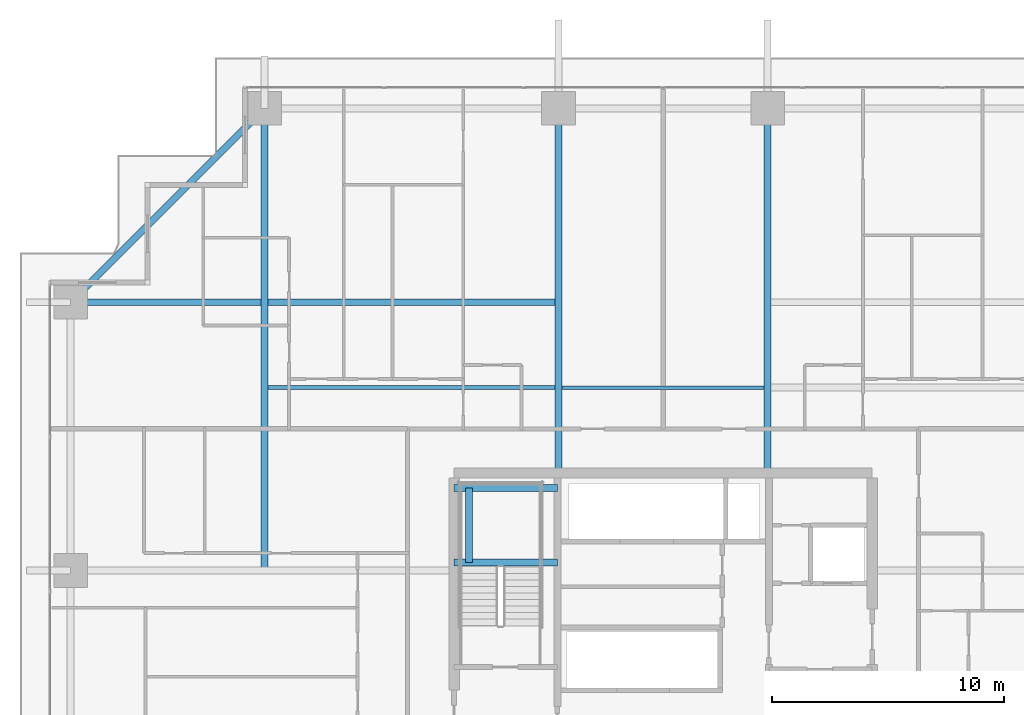
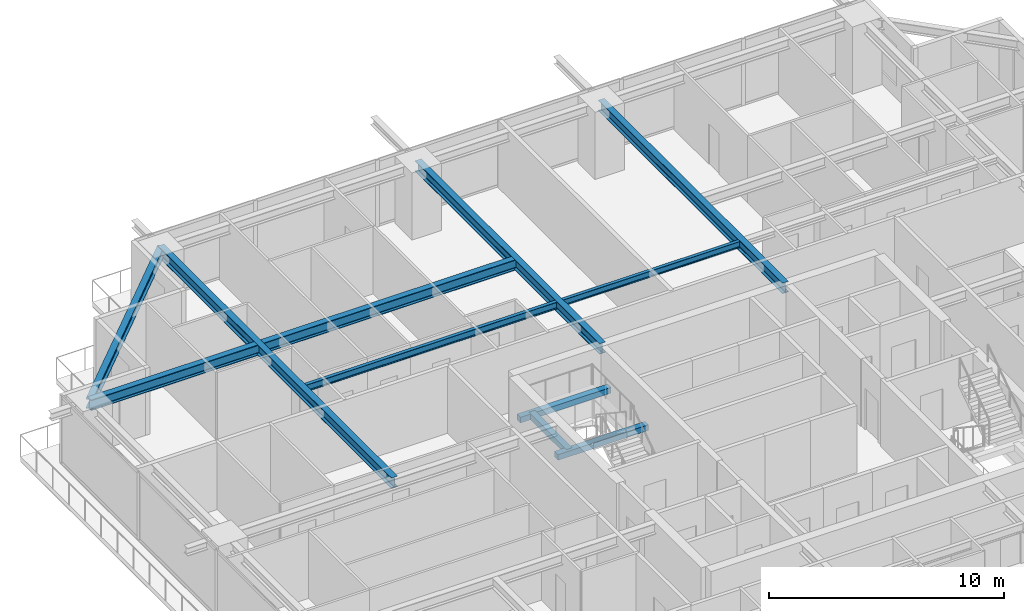
# One storey, part 19 of 39: 10 beams.
"""IFC4 building model written with IfcOpenShell, lengths in metres."""

from ifc_helpers import new_model, si_unit, direction, frame, origin, origin_2d, place, context, subcontext, project, spatial, rectangle, i_section, extrude, source, transform, mapped, material, material_profile, profile_set, type_object, element, save


model = new_model("IFC4")

# Units and contexts
model_context = context("Model", 3, precision=1e-05, world=origin(), true_north=direction((0.0, 1.0)))
body_context = subcontext(model_context, "Body", "Model", "MODEL_VIEW")
ifc_project = project(units=[si_unit("LENGTHUNIT", "METRE"), si_unit("AREAUNIT", "SQUARE_METRE"), si_unit("VOLUMEUNIT", "CUBIC_METRE"), si_unit("PLANEANGLEUNIT", "RADIAN"), si_unit("MASSUNIT", "GRAM", prefix="KILO")], contexts=[model_context])

# Site, building, storey
site_placement = place(None, origin())
site = spatial("IfcSite", under=ifc_project, at=site_placement, CompositionType="ELEMENT")
building_placement = place(site_placement, origin())
building = spatial("IfcBuilding", under=site, at=building_placement, Name="Serunith Strait Residences", CompositionType="ELEMENT")
storey_placement = place(building_placement, frame((0.0, 0.0, 94.199951171875)))
storey = spatial("IfcBuildingStorey", under=building, at=storey_placement, Name="L23", CompositionType="ELEMENT", Elevation=94.199951171875)

# Beams
ifc_material_1 = material(Name="Steel S355J2", Category="steel")
ifc_material_profile_1 = material_profile(ifc_material_1, i_section(OverallWidth=0.300048828125, OverallDepth=0.550048828125, WebThickness=0.014892578125, FlangeThickness=0.029052734375, FilletRadius=0.027099609375, at=origin_2d()), Name="HEB 550")
ifc_profile_set_1 = profile_set([ifc_material_profile_1], Name="Steel S355J2")
beam_type_1 = type_object("IfcBeamType", Name="BM-HEB550", PredefinedType="BEAM", material=ifc_profile_set_1)
shared_shape_1 = source(origin(), body_context, "Body", "SweptSolid", [
    extrude(i_section(OverallWidth=0.300048828125, OverallDepth=0.550048828125, WebThickness=0.014892578125, FlangeThickness=0.029052734375, FilletRadius=0.027099609375, at=origin_2d()), origin(), (0.0, 0.0, 1.0), 15.699951171875),
])
for number, where, z_axis, x_axis, name in (
    (1, (27.89990234375, 33.60009765625, 3.212158203125), (0.0, 1.0, 0.0), (-1.0, 0.0, 0.0), "L23 Primary Floor Girder TC-N2"),
    (2, (36.89990234375, 33.60009765625, 3.212158203125), (0.0, 1.0, 0.0), (-1.0, 0.0, 0.0), "L23 Primary Floor Girder TC-N3"),
):
    element("IfcBeam", number, at=place(storey_placement, frame(where, z_axis=z_axis, x_axis=x_axis)), inside=storey, type_object=beam_type_1, Name=name, PredefinedType="BEAM", context=body_context, shape_type="MappedRepresentation", body=[
        mapped(shared_shape_1, transform((0.0, 0.0, 0.0), scale=1.0)),
    ])
shared_shape_2 = source(origin(), body_context, "Body", "SweptSolid", [
    extrude(i_section(OverallWidth=0.300048828125, OverallDepth=0.550048828125, WebThickness=0.014892578125, FlangeThickness=0.029052734375, FilletRadius=0.027099609375, at=origin_2d()), origin(), (0.0, 0.0, 1.0), 19.900146484375),
])
beam_1_placement = place(storey_placement, frame((15.25, 29.39990234375, 3.212158203125), z_axis=(0.0, 1.0, 0.0), x_axis=(-1.0, 0.0, 0.0)))
element("IfcBeam", 3, at=beam_1_placement, inside=storey, type_object=beam_type_1, Name="L23 Orthogonal Corner Girder TC-N1", PredefinedType="BEAM", context=body_context, shape_type="MappedRepresentation", body=[
    mapped(shared_shape_2, transform((0.0, 0.0, 0.0), scale=1.0)),
])
shared_shape_3 = source(origin(), body_context, "Body", "SweptSolid", [
    extrude(i_section(OverallWidth=0.300048828125, OverallDepth=0.550048828125, WebThickness=0.014892578125, FlangeThickness=0.029052734375, FilletRadius=0.027099609375, at=origin_2d()), origin(), (0.0, 0.0, 1.0), 21.0),
])
beam_2_placement = place(storey_placement, frame((27.89990234375, 40.949951171875, 3.212158203125), z_axis=(-1.0, 0.0, 0.0), x_axis=(0.0, -1.0, 0.0)))
element("IfcBeam", 4, at=beam_2_placement, inside=storey, type_object=beam_type_1, Name="L23 Orthogonal Corner Girder TC-W4", PredefinedType="BEAM", context=body_context, shape_type="MappedRepresentation", body=[
    mapped(shared_shape_3, transform((0.0, 0.0, 0.0), scale=1.0)),
])
ifc_material_profile_2 = material_profile(ifc_material_1, i_section(OverallWidth=0.300048828125, OverallDepth=0.5, WebThickness=0.014404296875, FlangeThickness=0.028076171875, FilletRadius=0.027099609375, at=origin_2d()), Name="HEB 500")
ifc_profile_set_2 = profile_set([ifc_material_profile_2], Name="Steel S355J2")
beam_type_2 = type_object("IfcBeamType", Name="BM-HEB500", PredefinedType="BEAM", material=ifc_profile_set_2)
shared_shape_4 = source(origin(), body_context, "Body", "SweptSolid", [
    extrude(i_section(OverallWidth=0.300048828125, OverallDepth=0.5, WebThickness=0.014404296875, FlangeThickness=0.028076171875, FilletRadius=0.027099609375, at=origin_2d()), origin(), (0.0, 0.0, 1.0), 11.808837890625),
])
beam_3_placement = place(storey_placement, frame((15.25, 49.300048828125, 3.20703125), z_axis=(-0.707106781187, -0.707106781187, 0.0), x_axis=(0.707106781187, -0.707106781187, 0.0)))
element("IfcBeam", 5, at=beam_3_placement, inside=storey, type_object=beam_type_2, Name="L23 Perimeter Ring Beam 12", PredefinedType="BEAM", context=body_context, shape_type="MappedRepresentation", body=[
    mapped(shared_shape_4, transform((0.0, 0.0, 0.0), scale=1.0)),
])
ifc_material_profile_3 = material_profile(ifc_material_1, i_section(OverallWidth=0.169921875, OverallDepth=0.360107421875, WebThickness=0.008056640625, FlangeThickness=0.0126953125, FilletRadius=0.01806640625, at=origin_2d()), Name="IPE 360")
ifc_profile_set_3 = profile_set([ifc_material_profile_3], Name="Steel S355J2")
beam_type_3 = type_object("IfcBeamType", Name="BM-IPE360", PredefinedType="JOIST", material=ifc_profile_set_3)
shared_shape_5 = source(origin(), body_context, "Body", "SweptSolid", [
    extrude(i_section(OverallWidth=0.169921875, OverallDepth=0.360107421875, WebThickness=0.008056640625, FlangeThickness=0.0126953125, FilletRadius=0.01806640625, at=origin_2d()), origin(), (0.0, 0.0, 1.0), 12.35009765625),
])
beam_4_placement = place(storey_placement, frame((15.39990234375, 37.27490234375, 3.30712890625), z_axis=(1.0, 0.0, 0.0), x_axis=(0.0, 1.0, 0.0)))
element("IfcBeam", 6, at=beam_4_placement, inside=storey, type_object=beam_type_3, Name="L23 Composite Floor Joist 04", PredefinedType="JOIST", context=body_context, shape_type="MappedRepresentation", body=[
    mapped(shared_shape_5, transform((0.0, 0.0, 0.0), scale=1.0)),
])
ifc_material_profile_4 = material_profile(ifc_material_1, i_section(OverallWidth=0.159912109375, OverallDepth=0.330078125, WebThickness=0.007568359375, FlangeThickness=0.011474609375, FilletRadius=0.01806640625, at=origin_2d()), Name="IPE 330")
ifc_profile_set_4 = profile_set([ifc_material_profile_4], Name="Steel S355J2")
beam_type_4 = type_object("IfcBeamType", Name="BM-IPE330", PredefinedType="JOIST", material=ifc_profile_set_4)
shared_shape_6 = source(origin(), body_context, "Body", "SweptSolid", [
    extrude(i_section(OverallWidth=0.159912109375, OverallDepth=0.330078125, WebThickness=0.007568359375, FlangeThickness=0.011474609375, FilletRadius=0.01806640625, at=origin_2d()), origin(), (0.0, 0.0, 1.0), 8.699951171875),
])
beam_5_placement = place(storey_placement, frame((28.050048828125, 37.27490234375, 3.322021484375), z_axis=(1.0, 0.0, 0.0), x_axis=(0.0, 1.0, 0.0)))
element("IfcBeam", 7, at=beam_5_placement, inside=storey, type_object=beam_type_4, Name="L23 Composite Floor Joist 05", PredefinedType="JOIST", context=body_context, shape_type="MappedRepresentation", body=[
    mapped(shared_shape_6, transform((0.0, 0.0, 0.0), scale=1.0)),
])
ifc_material_2 = material(Name="Concrete C60/75", Category="concrete")
ifc_material_profile_5 = material_profile(ifc_material_2, rectangle(XDim=0.300048828125, YDim=0.300048828125, at=origin_2d()), Name="RC 300x300")
ifc_profile_set_5 = profile_set([ifc_material_profile_5], Name="Concrete C60/75")
beam_type_5 = type_object("IfcBeamType", Name="BM-LAND-300x300", PredefinedType="BEAM", material=ifc_profile_set_5)
shared_shape_7 = source(origin(), body_context, "Body", "SweptSolid", [
    extrude(rectangle(XDim=0.300048828125, YDim=0.300048828125, at=origin_2d()), origin(), (0.0, 0.0, 1.0), 4.4501953125),
])
for number, where, z_axis, x_axis, name in (
    (8, (23.39990234375, 29.75, 1.525146484375), (1.0, 0.0, 0.0), (0.0, 1.0, 0.0), "L23 ST-1 Landing Support Beam 1"),
    (9, (23.39990234375, 32.949951171875, 1.525146484375), (1.0, 0.0, 0.0), (0.0, 1.0, 0.0), "L23 ST-1 Landing Support Beam 2"),
):
    element("IfcBeam", number, at=place(storey_placement, frame(where, z_axis=z_axis, x_axis=x_axis)), inside=storey, type_object=beam_type_5, Name=name, PredefinedType="BEAM", context=body_context, shape_type="MappedRepresentation", body=[
        mapped(shared_shape_7, transform((0.0, 0.0, 0.0), scale=1.0)),
    ])
shared_shape_8 = source(origin(), body_context, "Body", "SweptSolid", [
    extrude(rectangle(XDim=0.300048828125, YDim=0.300048828125, at=origin_2d()), origin(), (0.0, 0.0, 1.0), 3.199951171875),
])
beam_6_placement = place(storey_placement, frame((24.050048828125, 29.75, 1.525146484375), z_axis=(0.0, 1.0, 0.0), x_axis=(-1.0, 0.0, 0.0)))
element("IfcBeam", 10, at=beam_6_placement, inside=storey, type_object=beam_type_5, Name="L23 ST-1 Landing Transverse Tie Beam", PredefinedType="BEAM", context=body_context, shape_type="MappedRepresentation", body=[
    mapped(shared_shape_8, transform((0.0, 0.0, 0.0), scale=1.0)),
])

save(model, "model.ifc")
